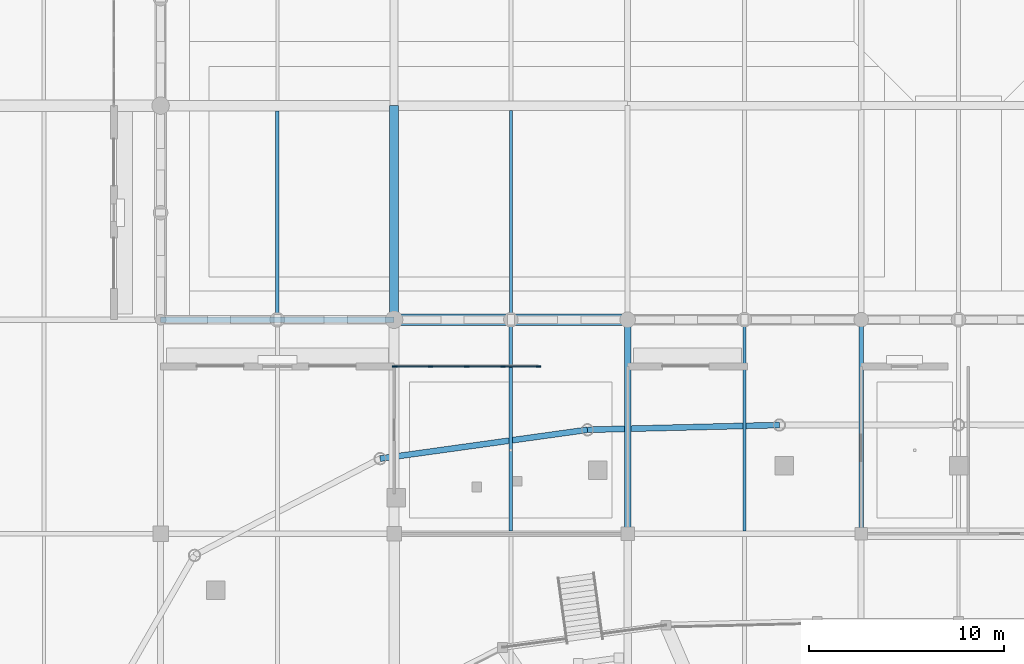
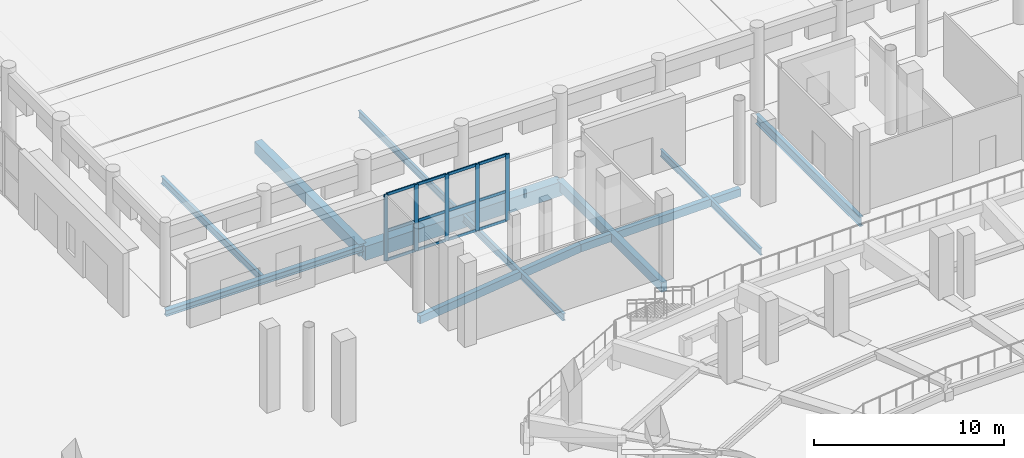
# One storey, part 27 of 120: 17 members, 11 beams, 1 element without a shape of its own.
"""IFC4 building model written with IfcOpenShell, lengths in metres."""

from ifc_helpers import new_model, si_unit, direction, frame, origin, origin_2d, place, context, subcontext, project, spatial, rectangle, hollow_rectangle, i_section, extrude, material, material_profile, profile_set, type_object, element, aggregate, save


model = new_model("IFC4")

# Units and contexts
model_context = context("Model", 3, precision=1e-05, world=origin(), true_north=direction((0.0, 1.0)))
body_context = subcontext(model_context, "Body", "Model", "MODEL_VIEW")
ifc_project = project(units=[si_unit("LENGTHUNIT", "METRE"), si_unit("AREAUNIT", "SQUARE_METRE"), si_unit("VOLUMEUNIT", "CUBIC_METRE"), si_unit("PLANEANGLEUNIT", "RADIAN"), si_unit("MASSUNIT", "GRAM", prefix="KILO")], contexts=[model_context])

# Site, building, storey
site_placement = place(None, origin())
site = spatial("IfcSite", under=ifc_project, at=site_placement, CompositionType="ELEMENT")
building_placement = place(site_placement, origin())
building = spatial("IfcBuilding", under=site, at=building_placement, Name="Luwafu Chhajja Arena", CompositionType="ELEMENT")
storey_placement = place(building_placement, origin())
storey = spatial("IfcBuildingStorey", under=building, at=storey_placement, Name="L00", CompositionType="ELEMENT", Elevation=0.0)

# Beam
ifc_material_1 = material(Name="Concrete C35/45", Category="concrete")
ifc_material_profile_1 = material_profile(ifc_material_1, rectangle(XDim=0.35009765625, YDim=0.60009765625, at=origin_2d()), Name="RC 350x600")
ifc_profile_set_1 = profile_set([ifc_material_profile_1], Name="Concrete C35/45")
beam_type_1 = type_object("IfcBeamType", Name="Arcade Tie Beam RC 350x600", PredefinedType="BEAM", material=ifc_profile_set_1)
beam_1_placement = place(storey_placement, frame((82.0, 88.0, -0.64990234375), z_axis=(0.0, 1.0, 0.0), x_axis=(-1.0, 0.0, 0.0)))
element("IfcBeam", 1, at=beam_1_placement, inside=storey, type_object=beam_type_1, Name="L00 Grid Beam 8/J-K", PredefinedType="BEAM", context=body_context, shape_type="SweptSolid", body=[
    extrude(rectangle(XDim=0.35009765625, YDim=0.60009765625, at=origin_2d()), origin(), (0.0, 0.0, 1.0), 11.0),
])

# Curtain wall, members
ifc_material_2 = material(Name="Anodised bronze aluminium", Category="aluminium")
curtain_wall_type = type_object("IfcCurtainWallType", Name="Warm-Up Gallery Curtain Wall", PredefinedType="USERDEFINED", material=ifc_material_2)
curtain_wall_placement = place(storey_placement, origin())
curtain_wall = element("IfcCurtainWall", 2, at=curtain_wall_placement, inside=storey, type_object=curtain_wall_type, Name="L00 Curtain Wall CWG-L00-H06_09", ObjectType="CURTAIN WALL", PredefinedType="USERDEFINED")
ifc_material_profile_2 = material_profile(ifc_material_2, rectangle(XDim=0.070068359375, YDim=0.239990234375, at=origin_2d()), Name="CWM 70x240")
ifc_profile_set_2 = profile_set([ifc_material_profile_2], Name="Anodised bronze aluminium")
member_type_1 = type_object("IfcMemberType", Name="Bronze Curtain Wall Mullion 70x240", PredefinedType="MULLION", material=ifc_profile_set_2)
member_1_placement = place(storey_placement, frame((70.034912109375, 96.60009765625, 0.030029296875), z_axis=(0.0, 0.0, 1.0), x_axis=(0.0, 1.0, 0.0)))
member_1 = element("IfcMember", 3, at=member_1_placement, type_object=member_type_1, Name="CW-08 mullion 1", PredefinedType="MULLION", context=body_context, shape_type="SweptSolid", body=[
    extrude(rectangle(XDim=0.070068359375, YDim=0.239990234375, at=origin_2d()), origin(), (0.0, 0.0, 1.0), 4.27001953125),
])
member_2_placement = place(storey_placement, frame((71.8642578125, 96.60009765625, 0.030029296875), z_axis=(0.0, 0.0, 1.0), x_axis=(0.0, 1.0, 0.0)))
member_2 = element("IfcMember", 4, at=member_2_placement, type_object=member_type_1, Name="CW-08 mullion 2", PredefinedType="MULLION", context=body_context, shape_type="SweptSolid", body=[
    extrude(rectangle(XDim=0.070068359375, YDim=0.239990234375, at=origin_2d()), origin(), (0.0, 0.0, 1.0), 4.27001953125),
])
member_3_placement = place(storey_placement, frame((73.728759765625, 96.60009765625, 0.030029296875), z_axis=(0.0, 0.0, 1.0), x_axis=(0.0, 1.0, 0.0)))
member_3 = element("IfcMember", 5, at=member_3_placement, type_object=member_type_1, Name="CW-08 mullion 3", PredefinedType="MULLION", context=body_context, shape_type="SweptSolid", body=[
    extrude(rectangle(XDim=0.070068359375, YDim=0.239990234375, at=origin_2d()), origin(), (0.0, 0.0, 1.0), 4.27001953125),
])
member_4_placement = place(storey_placement, frame((75.593017578125, 96.60009765625, 0.030029296875), z_axis=(0.0, 0.0, 1.0), x_axis=(0.0, 1.0, 0.0)))
member_4 = element("IfcMember", 6, at=member_4_placement, type_object=member_type_1, Name="CW-08 mullion 4", PredefinedType="MULLION", context=body_context, shape_type="SweptSolid", body=[
    extrude(rectangle(XDim=0.070068359375, YDim=0.239990234375, at=origin_2d()), origin(), (0.0, 0.0, 1.0), 4.27001953125),
])
member_5_placement = place(storey_placement, frame((77.422607421875, 96.60009765625, 0.030029296875), z_axis=(0.0, 0.0, 1.0), x_axis=(0.0, 1.0, 0.0)))
member_5 = element("IfcMember", 7, at=member_5_placement, type_object=member_type_1, Name="CW-08 mullion 5", PredefinedType="MULLION", context=body_context, shape_type="SweptSolid", body=[
    extrude(rectangle(XDim=0.070068359375, YDim=0.239990234375, at=origin_2d()), origin(), (0.0, 0.0, 1.0), 4.27001953125),
])
ifc_material_profile_3 = material_profile(ifc_material_2, rectangle(XDim=0.070068359375, YDim=0.179931640625, at=origin_2d()), Name="CWT 70x180")
ifc_profile_set_3 = profile_set([ifc_material_profile_3], Name="Anodised bronze aluminium")
member_type_2 = type_object("IfcMemberType", Name="Bronze Curtain Wall Transom 70x180", PredefinedType="USERDEFINED", material=ifc_profile_set_3)
member_6_placement = place(storey_placement, frame((70.070068359375, 96.60009765625, 0.06494140625), z_axis=(1.0, 0.0, 0.0), x_axis=(0.0, 1.0, 0.0)))
member_6 = element("IfcMember", 8, at=member_6_placement, type_object=member_type_2, Name="CW-08 transom 1.1", ObjectType="TRANSOM", PredefinedType="USERDEFINED", context=body_context, shape_type="SweptSolid", body=[
    extrude(rectangle(XDim=0.070068359375, YDim=0.179931640625, at=origin_2d()), origin(), (0.0, 0.0, 1.0), 1.75927734375),
])
member_7_placement = place(storey_placement, frame((70.070068359375, 96.60009765625, 1.93505859375), z_axis=(1.0, 0.0, 0.0), x_axis=(0.0, 1.0, 0.0)))
member_7 = element("IfcMember", 9, at=member_7_placement, type_object=member_type_2, Name="CW-08 transom 1.2", ObjectType="TRANSOM", PredefinedType="USERDEFINED", context=body_context, shape_type="SweptSolid", body=[
    extrude(rectangle(XDim=0.070068359375, YDim=0.179931640625, at=origin_2d()), origin(), (0.0, 0.0, 1.0), 1.75927734375),
])
member_8_placement = place(storey_placement, frame((70.070068359375, 96.60009765625, 4.264892578125), z_axis=(1.0, 0.0, 0.0), x_axis=(0.0, 1.0, 0.0)))
member_8 = element("IfcMember", 10, at=member_8_placement, type_object=member_type_2, Name="CW-08 transom 1.3", ObjectType="TRANSOM", PredefinedType="USERDEFINED", context=body_context, shape_type="SweptSolid", body=[
    extrude(rectangle(XDim=0.070068359375, YDim=0.179931640625, at=origin_2d()), origin(), (0.0, 0.0, 1.0), 1.75927734375),
])
member_9_placement = place(storey_placement, frame((71.8994140625, 96.60009765625, 0.06494140625), z_axis=(1.0, 0.0, 0.0), x_axis=(0.0, 1.0, 0.0)))
member_9 = element("IfcMember", 11, at=member_9_placement, type_object=member_type_2, Name="CW-08 transom 2.1", ObjectType="TRANSOM", PredefinedType="USERDEFINED", context=body_context, shape_type="SweptSolid", body=[
    extrude(rectangle(XDim=0.070068359375, YDim=0.179931640625, at=origin_2d()), origin(), (0.0, 0.0, 1.0), 1.79443359375),
])
member_10_placement = place(storey_placement, frame((71.8994140625, 96.60009765625, 1.93505859375), z_axis=(1.0, 0.0, 0.0), x_axis=(0.0, 1.0, 0.0)))
member_10 = element("IfcMember", 12, at=member_10_placement, type_object=member_type_2, Name="CW-08 transom 2.2", ObjectType="TRANSOM", PredefinedType="USERDEFINED", context=body_context, shape_type="SweptSolid", body=[
    extrude(rectangle(XDim=0.070068359375, YDim=0.179931640625, at=origin_2d()), origin(), (0.0, 0.0, 1.0), 1.79443359375),
])
member_11_placement = place(storey_placement, frame((71.8994140625, 96.60009765625, 4.264892578125), z_axis=(1.0, 0.0, 0.0), x_axis=(0.0, 1.0, 0.0)))
member_11 = element("IfcMember", 13, at=member_11_placement, type_object=member_type_2, Name="CW-08 transom 2.3", ObjectType="TRANSOM", PredefinedType="USERDEFINED", context=body_context, shape_type="SweptSolid", body=[
    extrude(rectangle(XDim=0.070068359375, YDim=0.179931640625, at=origin_2d()), origin(), (0.0, 0.0, 1.0), 1.79443359375),
])
member_12_placement = place(storey_placement, frame((73.763671875, 96.60009765625, 0.06494140625), z_axis=(1.0, 0.0, 0.0), x_axis=(0.0, 1.0, 0.0)))
member_12 = element("IfcMember", 14, at=member_12_placement, type_object=member_type_2, Name="CW-08 transom 3.1", ObjectType="TRANSOM", PredefinedType="USERDEFINED", context=body_context, shape_type="SweptSolid", body=[
    extrude(rectangle(XDim=0.070068359375, YDim=0.179931640625, at=origin_2d()), origin(), (0.0, 0.0, 1.0), 1.79443359375),
])
member_13_placement = place(storey_placement, frame((73.763671875, 96.60009765625, 1.93505859375), z_axis=(1.0, 0.0, 0.0), x_axis=(0.0, 1.0, 0.0)))
member_13 = element("IfcMember", 15, at=member_13_placement, type_object=member_type_2, Name="CW-08 transom 3.2", ObjectType="TRANSOM", PredefinedType="USERDEFINED", context=body_context, shape_type="SweptSolid", body=[
    extrude(rectangle(XDim=0.070068359375, YDim=0.179931640625, at=origin_2d()), origin(), (0.0, 0.0, 1.0), 1.79443359375),
])
member_14_placement = place(storey_placement, frame((73.763671875, 96.60009765625, 4.264892578125), z_axis=(1.0, 0.0, 0.0), x_axis=(0.0, 1.0, 0.0)))
member_14 = element("IfcMember", 16, at=member_14_placement, type_object=member_type_2, Name="CW-08 transom 3.3", ObjectType="TRANSOM", PredefinedType="USERDEFINED", context=body_context, shape_type="SweptSolid", body=[
    extrude(rectangle(XDim=0.070068359375, YDim=0.179931640625, at=origin_2d()), origin(), (0.0, 0.0, 1.0), 1.79443359375),
])
member_15_placement = place(storey_placement, frame((75.628173828125, 96.60009765625, 0.06494140625), z_axis=(1.0, 0.0, 0.0), x_axis=(0.0, 1.0, 0.0)))
member_15 = element("IfcMember", 17, at=member_15_placement, type_object=member_type_2, Name="CW-08 transom 4.1", ObjectType="TRANSOM", PredefinedType="USERDEFINED", context=body_context, shape_type="SweptSolid", body=[
    extrude(rectangle(XDim=0.070068359375, YDim=0.179931640625, at=origin_2d()), origin(), (0.0, 0.0, 1.0), 1.75927734375),
])
member_16_placement = place(storey_placement, frame((75.628173828125, 96.60009765625, 1.93505859375), z_axis=(1.0, 0.0, 0.0), x_axis=(0.0, 1.0, 0.0)))
member_16 = element("IfcMember", 18, at=member_16_placement, type_object=member_type_2, Name="CW-08 transom 4.2", ObjectType="TRANSOM", PredefinedType="USERDEFINED", context=body_context, shape_type="SweptSolid", body=[
    extrude(rectangle(XDim=0.070068359375, YDim=0.179931640625, at=origin_2d()), origin(), (0.0, 0.0, 1.0), 1.75927734375),
])
member_17_placement = place(storey_placement, frame((75.628173828125, 96.60009765625, 4.264892578125), z_axis=(1.0, 0.0, 0.0), x_axis=(0.0, 1.0, 0.0)))
member_17 = element("IfcMember", 19, at=member_17_placement, type_object=member_type_2, Name="CW-08 transom 4.3", ObjectType="TRANSOM", PredefinedType="USERDEFINED", context=body_context, shape_type="SweptSolid", body=[
    extrude(rectangle(XDim=0.070068359375, YDim=0.179931640625, at=origin_2d()), origin(), (0.0, 0.0, 1.0), 1.75927734375),
])
aggregate(curtain_wall, [member_1, member_2, member_3, member_4, member_5, member_6, member_7, member_8, member_9, member_10, member_11, member_12, member_13, member_14, member_15, member_16, member_17])

# Beams
ifc_material_profile_4 = material_profile(ifc_material_1, rectangle(XDim=0.60009765625, YDim=0.89990234375, at=origin_2d()), Name="RC 600x900")
ifc_profile_set_4 = profile_set([ifc_material_profile_4], Name="Concrete C35/45")
beam_type_2 = type_object("IfcBeamType", Name="Concourse Primary Girder RC 600x900", PredefinedType="BEAM", material=ifc_profile_set_4)
beam_2_placement = place(storey_placement, frame((70.0, 99.0, -0.800048828125), z_axis=(1.0, 0.0, 0.0), x_axis=(0.0, 1.0, 0.0)))
element("IfcBeam", 20, at=beam_2_placement, inside=storey, type_object=beam_type_2, Name="L00 Grid Beam 7-8/K", PredefinedType="BEAM", context=body_context, shape_type="SweptSolid", body=[
    extrude(rectangle(XDim=0.60009765625, YDim=0.89990234375, at=origin_2d()), origin(), (0.0, 0.0, 1.0), 12.0),
])
ifc_material_3 = material(Name="Steel S355", Category="steel")
ifc_material_profile_5 = material_profile(ifc_material_3, i_section(OverallWidth=0.15283203125, OverallDepth=0.45458984375, WebThickness=0.008056640625, FlangeThickness=0.01318359375, at=origin_2d()), Name="UB 457x152x60")
ifc_profile_set_5 = profile_set([ifc_material_profile_5], Name="Steel S355")
beam_type_3 = type_object("IfcBeamType", Name="Floor Joist UB 457x152x60", PredefinedType="JOIST", material=ifc_profile_set_5)
beam_3_placement = place(storey_placement, frame((76.0, 99.300048828125, -0.577392578125), z_axis=(0.0, 1.0, 0.0), x_axis=(-1.0, 0.0, 0.0)))
element("IfcBeam", 21, at=beam_3_placement, inside=storey, type_object=beam_type_3, Name="L00 Secondary Joist 7-8/K", PredefinedType="JOIST", context=body_context, shape_type="SweptSolid", body=[
    extrude(i_section(OverallWidth=0.15283203125, OverallDepth=0.45458984375, WebThickness=0.008056640625, FlangeThickness=0.01318359375, at=origin_2d()), origin(), (0.0, 0.0, 1.0), 10.449951171875),
])
beam_4_placement = place(storey_placement, frame((88.0, 88.14990234375, -0.577392578125), z_axis=(0.0, 1.0, 0.0), x_axis=(-1.0, 0.0, 0.0)))
element("IfcBeam", 22, at=beam_4_placement, inside=storey, type_object=beam_type_3, Name="L00 Secondary Joist 8-9/J", PredefinedType="JOIST", context=body_context, shape_type="SweptSolid", body=[
    extrude(i_section(OverallWidth=0.15283203125, OverallDepth=0.45458984375, WebThickness=0.008056640625, FlangeThickness=0.01318359375, at=origin_2d()), origin(), (0.0, 0.0, 1.0), 10.5751953125),
])
ifc_material_profile_6 = material_profile(ifc_material_3, i_section(OverallWidth=0.19140625, OverallDepth=0.4599609375, WebThickness=0.010009765625, FlangeThickness=0.01611328125, at=origin_2d()), Name="UB 457x191x82")
ifc_profile_set_6 = profile_set([ifc_material_profile_6], Name="Steel S355")
beam_type_4 = type_object("IfcBeamType", Name="Floor Joist UB 457x191x82", PredefinedType="JOIST", material=ifc_profile_set_6)
beam_5_placement = place(storey_placement, frame((64.0, 99.14990234375, -0.580078125), z_axis=(0.0, 1.0, 0.0), x_axis=(-1.0, 0.0, 0.0)))
element("IfcBeam", 23, at=beam_5_placement, inside=storey, type_object=beam_type_4, Name="L00 Secondary Joist 6-7/K", PredefinedType="JOIST", context=body_context, shape_type="SweptSolid", body=[
    extrude(i_section(OverallWidth=0.19140625, OverallDepth=0.4599609375, WebThickness=0.010009765625, FlangeThickness=0.01611328125, at=origin_2d()), origin(), (0.0, 0.0, 1.0), 10.5751953125),
])
beam_6_placement = place(storey_placement, frame((76.0, 88.14990234375, -0.580078125), z_axis=(0.0, 1.0, 0.0), x_axis=(-1.0, 0.0, 0.0)))
element("IfcBeam", 24, at=beam_6_placement, inside=storey, type_object=beam_type_4, Name="L00 Secondary Joist 7-8/J", PredefinedType="JOIST", context=body_context, shape_type="SweptSolid", body=[
    extrude(i_section(OverallWidth=0.19140625, OverallDepth=0.4599609375, WebThickness=0.010009765625, FlangeThickness=0.01611328125, at=origin_2d()), origin(), (0.0, 0.0, 1.0), 10.550048828125),
])
ifc_material_profile_7 = material_profile(ifc_material_3, hollow_rectangle(XDim=0.300048828125, YDim=0.5, WallThickness=0.02001953125, at=origin_2d()), Name="RHS 500x300x20")
ifc_profile_set_7 = profile_set([ifc_material_profile_7], Name="Steel S355")
beam_type_5 = type_object("IfcBeamType", Name="Pleated Drum Spandrel Beam RHS 500x300", PredefinedType="SPANDREL", material=ifc_profile_set_7)
beam_7_placement = place(storey_placement, frame((89.792724609375, 93.588134765625, -0.60009765625), z_axis=(-0.999695420837, -0.024679253567, 0.0), x_axis=(0.024679253567, -0.999695420837, 0.0)))
element("IfcBeam", 25, at=beam_7_placement, inside=storey, type_object=beam_type_5, Name="L00 Drum Ring Spandrel D10-D11", PredefinedType="SPANDREL", context=body_context, shape_type="SweptSolid", body=[
    extrude(hollow_rectangle(XDim=0.300048828125, YDim=0.5, WallThickness=0.02001953125, at=origin_2d()), origin(), (0.0, 0.0, 1.0), 9.86279296875),
])
beam_8_placement = place(storey_placement, frame((79.932861328125, 93.3447265625, -0.60009765625), z_axis=(-0.990458730054, -0.137809666058, 0.0), x_axis=(0.137809666058, -0.990458730054, 0.0)))
element("IfcBeam", 26, at=beam_8_placement, inside=storey, type_object=beam_type_5, Name="L00 Drum Ring Spandrel D11-D12", PredefinedType="SPANDREL", context=body_context, shape_type="SweptSolid", body=[
    extrude(hollow_rectangle(XDim=0.300048828125, YDim=0.5, WallThickness=0.02001953125, at=origin_2d()), origin(), (0.0, 0.0, 1.0), 10.75341796875),
])
ifc_material_profile_8 = material_profile(ifc_material_3, i_section(OverallWidth=0.22900390625, OverallDepth=0.6123046875, WebThickness=0.011962890625, FlangeThickness=0.01953125, at=origin_2d()), Name="UB 610x229x125")
ifc_profile_set_8 = profile_set([ifc_material_profile_8], Name="Steel S355")
beam_type_6 = type_object("IfcBeamType", Name="Steel Mezzanine Girder UB 610x229x125", PredefinedType="BEAM", material=ifc_profile_set_8)
beam_9_placement = place(storey_placement, frame((94.0, 88.0, -0.656005859375), z_axis=(0.0, 1.0, 0.0), x_axis=(-1.0, 0.0, 0.0)))
element("IfcBeam", 27, at=beam_9_placement, inside=storey, type_object=beam_type_6, Name="L00 Grid Beam 9/J-K", PredefinedType="BEAM", context=body_context, shape_type="SweptSolid", body=[
    extrude(i_section(OverallWidth=0.22900390625, OverallDepth=0.6123046875, WebThickness=0.011962890625, FlangeThickness=0.01953125, at=origin_2d()), origin(), (0.0, 0.0, 1.0), 11.0),
])
ifc_material_profile_9 = material_profile(ifc_material_3, i_section(OverallWidth=0.300048828125, OverallDepth=0.39990234375, WebThickness=0.013427734375, FlangeThickness=0.02392578125, at=origin_2d()), Name="HEB 400")
ifc_profile_set_9 = profile_set([ifc_material_profile_9], Name="Steel S355")
beam_type_7 = type_object("IfcBeamType", Name="Steel Rigging Grid Beam HEB 400", PredefinedType="BEAM", material=ifc_profile_set_9)
beam_10_placement = place(storey_placement, frame((58.0, 99.0, -0.550048828125), z_axis=(1.0, 0.0, 0.0), x_axis=(0.0, 1.0, 0.0)))
element("IfcBeam", 28, at=beam_10_placement, inside=storey, type_object=beam_type_7, Name="L00 Grid Beam 6-7/K", PredefinedType="BEAM", context=body_context, shape_type="SweptSolid", body=[
    extrude(i_section(OverallWidth=0.300048828125, OverallDepth=0.39990234375, WebThickness=0.013427734375, FlangeThickness=0.02392578125, at=origin_2d()), origin(), (0.0, 0.0, 1.0), 12.0),
])
ifc_material_profile_10 = material_profile(ifc_material_1, rectangle(XDim=0.449951171875, YDim=0.75, at=origin_2d()), Name="RC 450x750")
ifc_profile_set_10 = profile_set([ifc_material_profile_10], Name="Concrete C35/45")
beam_type_8 = type_object("IfcBeamType", Name="Wing Primary Beam RC 450x750", PredefinedType="BEAM", material=ifc_profile_set_10)
beam_11_placement = place(storey_placement, frame((70.0, 99.0, -0.72509765625), z_axis=(0.0, 1.0, 0.0), x_axis=(-1.0, 0.0, 0.0)))
element("IfcBeam", 29, at=beam_11_placement, inside=storey, type_object=beam_type_8, Name="L00 Grid Beam 7/K-L", PredefinedType="BEAM", context=body_context, shape_type="SweptSolid", body=[
    extrude(rectangle(XDim=0.449951171875, YDim=0.75, at=origin_2d()), origin(), (0.0, 0.0, 1.0), 11.0),
])

save(model, "model.ifc")
